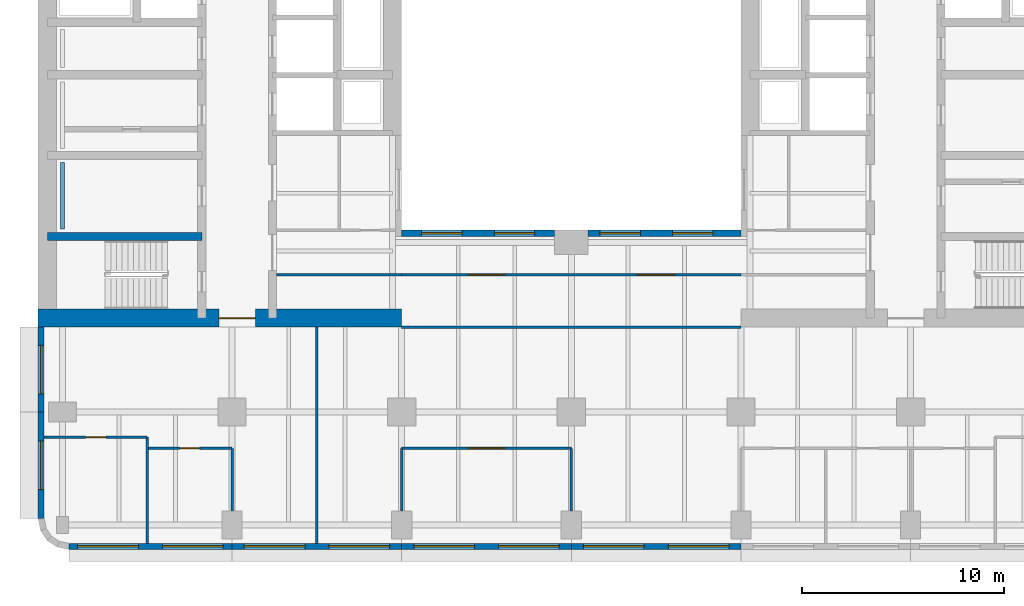
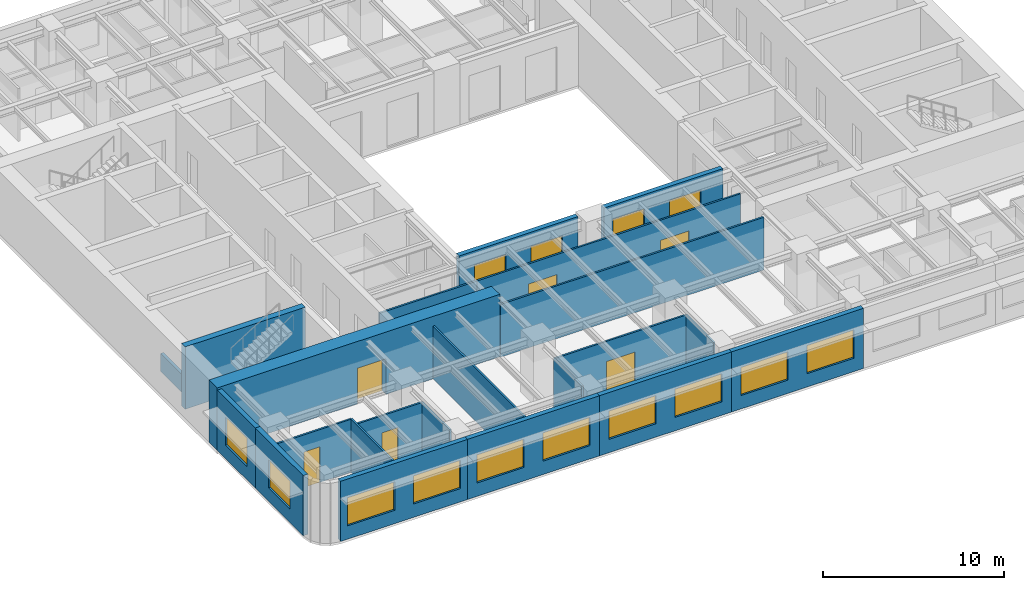
# One storey, part 3 of 11: 22 walls, 14 windows, 6 doors, 20 openings.
"""IFC4 building model written with IfcOpenShell, lengths in metres."""

from ifc_helpers import new_model, si_unit, direction, frame, frame_2d, origin, place, context, subcontext, project, spatial, rectangle, extrude, material, layer, layer_set, type_object, element, fill, save


model = new_model("IFC4")

# Units and contexts
model_context = context("Model", 3, precision=1e-05, world=origin(), true_north=direction((0.0, 1.0)))
body_context = subcontext(model_context, "Body", "Model", "MODEL_VIEW")
ifc_project = project(units=[si_unit("LENGTHUNIT", "METRE"), si_unit("AREAUNIT", "SQUARE_METRE"), si_unit("VOLUMEUNIT", "CUBIC_METRE"), si_unit("PLANEANGLEUNIT", "RADIAN"), si_unit("MASSUNIT", "GRAM", prefix="KILO")], contexts=[model_context])

# Site, building, storey
site_placement = place(None, origin())
site = spatial("IfcSite", under=ifc_project, at=site_placement, CompositionType="ELEMENT")
building_placement = place(site_placement, origin())
building = spatial("IfcBuilding", under=site, at=building_placement, Name="Claustro Exchange Tower", CompositionType="ELEMENT")
storey_placement = place(building_placement, frame((0.0, 0.0, 130.199951171875)))
storey = spatial("IfcBuildingStorey", under=building, at=storey_placement, Name="L29", CompositionType="ELEMENT", Elevation=130.199951171875)

# Wall, opening, door
ifc_material_1 = material(Name="Laminated glass in aluminium frame", Category="aluminium")
ifc_layer_1 = layer(ifc_material_1, 0.1201171875)
ifc_layer_set_1 = layer_set([ifc_layer_1], Name="Laminated glass in aluminium frame")
wall_type_1 = type_object("IfcWallType", Name="P2 120 glazed partition", PredefinedType="PARTITIONING", material=ifc_layer_set_1)
wall_1_placement = place(storey_placement, frame((-0.902099609375, 7.14990234375, 0.0), z_axis=(0.0, 0.0, 1.0), x_axis=(1.0, 0.0, 0.0)))
wall_1 = element("IfcWall", 1, at=wall_1_placement, inside=storey, type_object=wall_type_1, Name="Partition P2 L29", PredefinedType="PARTITIONING", context=body_context, shape_type="SweptSolid", body=[
    extrude(rectangle(XDim=5.10205078125, YDim=0.1201171875, at=frame_2d((2.551025390625, 0.0))), origin(), (0.0, 0.0, 1.0), 3.56005859375),
])
opening_1_placement = place(wall_1_placement, frame((2.052001953125, 0.0, 0.0)))
opening_1 = element("IfcOpeningElement", 2, at=opening_1_placement, cuts=wall_1, Name="Opening D7", PredefinedType="OPENING", context=body_context, shape_type="SweptSolid", body=[
    extrude(rectangle(XDim=1.0, YDim=2.39990234375, at=frame_2d((0.5, 1.199951171875))), frame((0.0, 0.070068359375, 0.0), z_axis=(0.0, -1.0, 0.0), x_axis=(1.0, 0.0, 0.0)), (0.0, 0.0, 1.0), 0.14013671875),
])
ifc_material_2 = material(Name="Glass door in aluminium frame", Category="aluminium")
door_type_1 = type_object("IfcDoorType", Name="D7 1000 x 2400 glazed door", OperationType="SINGLE_SWING_LEFT", PredefinedType="DOOR", material=ifc_material_2)
door_1_placement = place(opening_1_placement, frame((1.0, 0.0, 0.0), z_axis=(0.0, 0.0, 1.0), x_axis=(-1.0, 0.0, 0.0)))
door_1 = element("IfcDoor", 3, at=door_1_placement, inside=storey, type_object=door_type_1, Name="Door D7 L29", OperationType="SINGLE_SWING_LEFT", OverallHeight=2.39990234375, OverallWidth=1.0, PredefinedType="DOOR", context=body_context, shape_type="SweptSolid", body=[
    extrude(rectangle(XDim=1.0, YDim=2.39990234375, at=frame_2d((0.5, 1.199951171875))), frame((0.0, 0.02490234375, 0.0), z_axis=(0.0, -1.0, 0.0), x_axis=(1.0, 0.0, 0.0)), (0.0, 0.0, 1.0), 0.050048828125),
])
fill(opening_1, door_1)

wall_2_placement = place(storey_placement, frame((4.258056640625, 6.60009765625, 0.0), z_axis=(0.0, 0.0, 1.0), x_axis=(1.0, 0.0, 0.0)))
wall_2 = element("IfcWall", 4, at=wall_2_placement, inside=storey, type_object=wall_type_1, Name="Partition P2 L29", PredefinedType="PARTITIONING", context=body_context, shape_type="SweptSolid", body=[
    extrude(rectangle(XDim=4.141845703125, YDim=0.1201171875, at=frame_2d((2.07080078125, 0.0))), origin(), (0.0, 0.0, 1.0), 3.550048828125),
])
opening_2_placement = place(wall_2_placement, frame((1.5419921875, 0.0, 0.0)))
opening_2 = element("IfcOpeningElement", 5, at=opening_2_placement, cuts=wall_2, Name="Opening D7", PredefinedType="OPENING", context=body_context, shape_type="SweptSolid", body=[
    extrude(rectangle(XDim=1.0, YDim=2.39990234375, at=frame_2d((0.5, 1.199951171875))), frame((0.0, 0.070068359375, 0.0), z_axis=(0.0, -1.0, 0.0), x_axis=(1.0, 0.0, 0.0)), (0.0, 0.0, 1.0), 0.14013671875),
])
door_2_placement = place(opening_2_placement, frame((1.0, 0.0, 0.0), z_axis=(0.0, 0.0, 1.0), x_axis=(-1.0, 0.0, 0.0)))
door_2 = element("IfcDoor", 6, at=door_2_placement, inside=storey, type_object=door_type_1, Name="Door D7 L29", OperationType="SINGLE_SWING_RIGHT", OverallHeight=2.39990234375, OverallWidth=1.0, PredefinedType="DOOR", context=body_context, shape_type="SweptSolid", body=[
    extrude(rectangle(XDim=1.0, YDim=2.39990234375, at=frame_2d((0.5, 1.199951171875))), frame((0.0, 0.02490234375, 0.0), z_axis=(0.0, -1.0, 0.0), x_axis=(1.0, 0.0, 0.0)), (0.0, 0.0, 1.0), 0.050048828125),
])
fill(opening_2, door_2)

# Walls
wall_3_placement = place(storey_placement, frame((4.199951171875, 1.89794921875, 0.0), z_axis=(0.0, 0.0, 1.0), x_axis=(0.0, 1.0, 0.0)))
element("IfcWall", 7, at=wall_3_placement, inside=storey, type_object=wall_type_1, Name="Partition P2 L29", PredefinedType="PARTITIONING", context=body_context, shape_type="SweptSolid", body=[
    extrude(rectangle(XDim=5.251953125, YDim=0.1201171875, at=frame_2d((2.6259765625, 0.0))), origin(), (0.0, 0.0, 1.0), 3.56005859375),
])
wall_4_placement = place(storey_placement, frame((8.39990234375, 3.4990234375, 0.0), z_axis=(0.0, 0.0, 1.0), x_axis=(0.0, 1.0, 0.0)))
element("IfcWall", 8, at=wall_4_placement, inside=storey, type_object=wall_type_1, Name="Partition P2 L29", PredefinedType="PARTITIONING", context=body_context, shape_type="SweptSolid", body=[
    extrude(rectangle(XDim=3.10107421875, YDim=0.1201171875, at=frame_2d((1.550537109375, 0.0))), origin(), (0.0, 0.0, 1.0), 3.550048828125),
])

# Wall, opening, door
wall_5_placement = place(storey_placement, frame((16.800048828125, 6.60009765625, 0.0), z_axis=(0.0, 0.0, 1.0), x_axis=(1.0, 0.0, 0.0)))
wall_5 = element("IfcWall", 9, at=wall_5_placement, inside=storey, type_object=wall_type_1, Name="Partition P2 L29", PredefinedType="PARTITIONING", context=body_context, shape_type="SweptSolid", body=[
    extrude(rectangle(XDim=8.39990234375, YDim=0.1201171875, at=frame_2d((4.199951171875, 0.0))), origin(), (0.0, 0.0, 1.0), 3.550048828125),
])
opening_3_placement = place(wall_5_placement, frame((3.300048828125, 0.0, 0.0)))
opening_3 = element("IfcOpeningElement", 10, at=opening_3_placement, cuts=wall_5, Name="Opening D2", PredefinedType="OPENING", context=body_context, shape_type="SweptSolid", body=[
    extrude(rectangle(XDim=1.800048828125, YDim=2.199951171875, at=frame_2d((0.89990234375, 1.10009765625))), frame((0.0, 0.070068359375, 0.0), z_axis=(0.0, -1.0, 0.0), x_axis=(1.0, 0.0, 0.0)), (0.0, 0.0, 1.0), 0.14013671875),
])
ifc_material_3 = material(Name="Timber door, oak veneer", Category="wood")
door_type_2 = type_object("IfcDoorType", Name="D2 1800 x 2200 double door", OperationType="DOUBLE_DOOR_SINGLE_SWING", PredefinedType="DOOR", material=ifc_material_3)
door_3_placement = place(opening_3_placement, frame((1.800048828125, 0.0, 0.0), z_axis=(0.0, 0.0, 1.0), x_axis=(-1.0, 0.0, 0.0)))
door_3 = element("IfcDoor", 11, at=door_3_placement, inside=storey, type_object=door_type_2, Name="Double door D2 L29", OperationType="DOUBLE_DOOR_SINGLE_SWING", OverallHeight=2.199951171875, OverallWidth=1.800048828125, PredefinedType="DOOR", context=body_context, shape_type="SweptSolid", body=[
    extrude(rectangle(XDim=1.800048828125, YDim=2.199951171875, at=frame_2d((0.89990234375, 1.10009765625))), frame((0.0, 0.02490234375, 0.0), z_axis=(0.0, -1.0, 0.0), x_axis=(1.0, 0.0, 0.0)), (0.0, 0.0, 1.0), 0.050048828125),
])
fill(opening_3, door_3)

# Walls
for number, where, z_axis, x_axis, name in (
    (12, (16.800048828125, 3.4990234375, 0.0), (0.0, 0.0, 1.0), (0.0, 1.0, 0.0), "Partition P2 L29"),
    (13, (25.199951171875, 3.4990234375, 0.0), (0.0, 0.0, 1.0), (0.0, 1.0, 0.0), "Partition P2 L29"),
):
    element("IfcWall", number, at=place(storey_placement, frame(where, z_axis=z_axis, x_axis=x_axis)), inside=storey, type_object=wall_type_1, Name=name, PredefinedType="PARTITIONING", context=body_context, shape_type="SweptSolid", body=[
        extrude(rectangle(XDim=3.10107421875, YDim=0.1201171875, at=frame_2d((1.550537109375, 0.0))), origin(), (0.0, 0.0, 1.0), 3.550048828125),
    ])
wall_6_placement = place(storey_placement, frame((12.60009765625, 1.89794921875, 0.0), z_axis=(0.0, 0.0, 1.0), x_axis=(0.0, 1.0, 0.0)))
element("IfcWall", 14, at=wall_6_placement, inside=storey, type_object=wall_type_1, Name="Partition P2 L29", PredefinedType="PARTITIONING", context=body_context, shape_type="SweptSolid", body=[
    extrude(rectangle(XDim=10.7041015625, YDim=0.1201171875, at=frame_2d((5.35205078125, 0.0))), origin(), (0.0, 0.0, 1.0), 3.550048828125),
])
wall_7_placement = place(storey_placement, frame((10.597900390625, 15.199951171875, 0.0), z_axis=(0.0, 0.0, 1.0), x_axis=(1.0, 0.0, 0.0)))
element("IfcWall", 15, at=wall_7_placement, inside=storey, type_object=wall_type_1, Name="Partition P2 L29", PredefinedType="PARTITIONING", context=body_context, shape_type="SweptSolid", body=[
    extrude(rectangle(XDim=6.2041015625, YDim=0.1201171875, at=frame_2d((3.10205078125, 0.0))), origin(), (0.0, 0.0, 1.0), 3.550048828125),
])

# Wall, openings, doors
wall_8_placement = place(storey_placement, frame((16.798095703125, 15.199951171875, 0.0), z_axis=(0.0, 0.0, 1.0), x_axis=(1.0, 0.0, 0.0)))
wall_8 = element("IfcWall", 16, at=wall_8_placement, inside=storey, type_object=wall_type_1, Name="Partition P2 L29", PredefinedType="PARTITIONING", context=body_context, shape_type="SweptSolid", body=[
    extrude(rectangle(XDim=16.803955078125, YDim=0.1201171875, at=frame_2d((8.40185546875, 0.0))), origin(), (0.0, 0.0, 1.0), 3.550048828125),
])
opening_4_placement = place(wall_8_placement, frame((3.302001953125, 0.0, 0.0)))
opening_4 = element("IfcOpeningElement", 17, at=opening_4_placement, cuts=wall_8, Name="Opening D2", PredefinedType="OPENING", context=body_context, shape_type="SweptSolid", body=[
    extrude(rectangle(XDim=1.800048828125, YDim=2.199951171875, at=frame_2d((0.89990234375, 1.10009765625))), frame((0.0, 0.070068359375, 0.0), z_axis=(0.0, -1.0, 0.0), x_axis=(1.0, 0.0, 0.0)), (0.0, 0.0, 1.0), 0.14013671875),
])
opening_5_placement = place(wall_8_placement, frame((11.701904296875, 0.0, 0.0)))
opening_5 = element("IfcOpeningElement", 18, at=opening_5_placement, cuts=wall_8, Name="Opening D2", PredefinedType="OPENING", context=body_context, shape_type="SweptSolid", body=[
    extrude(rectangle(XDim=1.800048828125, YDim=2.199951171875, at=frame_2d((0.89990234375, 1.10009765625))), frame((0.0, 0.070068359375, 0.0), z_axis=(0.0, -1.0, 0.0), x_axis=(1.0, 0.0, 0.0)), (0.0, 0.0, 1.0), 0.14013671875),
])
door_4_placement = place(opening_4_placement, frame((1.800048828125, 0.0, 0.0), z_axis=(0.0, 0.0, 1.0), x_axis=(-1.0, 0.0, 0.0)))
door_4 = element("IfcDoor", 19, at=door_4_placement, inside=storey, type_object=door_type_2, Name="Double door D2 L29", OperationType="DOUBLE_DOOR_SINGLE_SWING", OverallHeight=2.199951171875, OverallWidth=1.800048828125, PredefinedType="DOOR", context=body_context, shape_type="SweptSolid", body=[
    extrude(rectangle(XDim=1.800048828125, YDim=2.199951171875, at=frame_2d((0.89990234375, 1.10009765625))), frame((0.0, 0.02490234375, 0.0), z_axis=(0.0, -1.0, 0.0), x_axis=(1.0, 0.0, 0.0)), (0.0, 0.0, 1.0), 0.050048828125),
])
fill(opening_4, door_4)
door_5_placement = place(opening_5_placement, frame((1.800048828125, 0.0, 0.0), z_axis=(0.0, 0.0, 1.0), x_axis=(-1.0, 0.0, 0.0)))
door_5 = element("IfcDoor", 20, at=door_5_placement, inside=storey, type_object=door_type_2, Name="Double door D2 L29", OperationType="DOUBLE_DOOR_SINGLE_SWING", OverallHeight=2.199951171875, OverallWidth=1.800048828125, PredefinedType="DOOR", context=body_context, shape_type="SweptSolid", body=[
    extrude(rectangle(XDim=1.800048828125, YDim=2.199951171875, at=frame_2d((0.89990234375, 1.10009765625))), frame((0.0, 0.02490234375, 0.0), z_axis=(0.0, -1.0, 0.0), x_axis=(1.0, 0.0, 0.0)), (0.0, 0.0, 1.0), 0.050048828125),
])
fill(opening_5, door_5)

# Wall
wall_9_placement = place(storey_placement, frame((16.800048828125, 12.60009765625, 0.0), z_axis=(0.0, 0.0, 1.0), x_axis=(1.0, 0.0, 0.0)))
element("IfcWall", 21, at=wall_9_placement, inside=storey, type_object=wall_type_1, Name="Partition P2 L29", PredefinedType="PARTITIONING", context=body_context, shape_type="SweptSolid", body=[
    extrude(rectangle(XDim=16.800048828125, YDim=0.1201171875, at=frame_2d((8.39990234375, 0.0))), origin(), (0.0, 0.0, 1.0), 3.550048828125),
])

# Wall, openings, windows
ifc_material_4 = material(Name="Concrete HA-40 (C40/50), precast, white cement, acid-etched", Category="concrete")
ifc_layer_2 = layer(ifc_material_4, 0.300048828125)
ifc_layer_set_2 = layer_set([ifc_layer_2], Name="Concrete HA-40 (C40/50), precast, white cement, acid-etched")
wall_type_2 = type_object("IfcWallType", Name="PC1 300 precast concrete pier panel", PredefinedType="SOLIDWALL", material=ifc_layer_set_2)
wall_10_placement = place(storey_placement, frame((33.60009765625, 1.75, 0.0), z_axis=(0.0, 0.0, 1.0), x_axis=(-1.0, 0.0, 0.0)))
wall_10 = element("IfcWall", 22, at=wall_10_placement, inside=storey, type_object=wall_type_2, Name="Precast pier panel PC1 L29", PredefinedType="SOLIDWALL", context=body_context, shape_type="SweptSolid", body=[
    extrude(rectangle(XDim=8.400146484375, YDim=0.300048828125, at=frame_2d((4.2001953125, 0.0))), origin(), (0.0, 0.0, 1.0), 4.050048828125),
])
opening_6_placement = place(wall_10_placement, frame((0.60009765625, 0.0, 0.89990234375)))
opening_6 = element("IfcOpeningElement", 23, at=opening_6_placement, cuts=wall_10, Name="Opening W1", PredefinedType="OPENING", context=body_context, shape_type="SweptSolid", body=[
    extrude(rectangle(XDim=3.0, YDim=1.89990234375, at=frame_2d((1.5, 0.949951171875))), frame((0.0, 0.159912109375, 0.0), z_axis=(0.0, -1.0, 0.0), x_axis=(1.0, 0.0, 0.0)), (0.0, 0.0, 1.0), 0.320068359375),
])
opening_7_placement = place(wall_10_placement, frame((4.800048828125, 0.0, 0.89990234375)))
opening_7 = element("IfcOpeningElement", 24, at=opening_7_placement, cuts=wall_10, Name="Opening W1", PredefinedType="OPENING", context=body_context, shape_type="SweptSolid", body=[
    extrude(rectangle(XDim=3.0, YDim=1.89990234375, at=frame_2d((1.5, 0.949951171875))), frame((0.0, 0.159912109375, 0.0), z_axis=(0.0, -1.0, 0.0), x_axis=(1.0, 0.0, 0.0)), (0.0, 0.0, 1.0), 0.320068359375),
])
ifc_material_5 = material(Name="Aluminium frame, clear double glazing", Category="aluminium")
window_type_1 = type_object("IfcWindowType", Name="W1 3000 x 1900 window", PartitioningType="SINGLE_PANEL", PredefinedType="WINDOW", material=ifc_material_5)
window_1_placement = place(opening_6_placement, origin())
window_1 = element("IfcWindow", 25, at=window_1_placement, inside=storey, type_object=window_type_1, Name="Window W1 L29", OverallHeight=1.89990234375, OverallWidth=3.0, PartitioningType="SINGLE_PANEL", PredefinedType="WINDOW", context=body_context, shape_type="SweptSolid", body=[
    extrude(rectangle(XDim=3.0, YDim=1.89990234375, at=frame_2d((1.5, 0.949951171875))), frame((0.0, 0.030029296875, 0.0), z_axis=(0.0, -1.0, 0.0), x_axis=(1.0, 0.0, 0.0)), (0.0, 0.0, 1.0), 0.06005859375),
])
fill(opening_6, window_1)
window_2_placement = place(opening_7_placement, origin())
window_2 = element("IfcWindow", 26, at=window_2_placement, inside=storey, type_object=window_type_1, Name="Window W1 L29", OverallHeight=1.89990234375, OverallWidth=3.0, PartitioningType="SINGLE_PANEL", PredefinedType="WINDOW", context=body_context, shape_type="SweptSolid", body=[
    extrude(rectangle(XDim=3.0, YDim=1.89990234375, at=frame_2d((1.5, 0.949951171875))), frame((0.0, 0.030029296875, 0.0), z_axis=(0.0, -1.0, 0.0), x_axis=(1.0, 0.0, 0.0)), (0.0, 0.0, 1.0), 0.06005859375),
])
fill(opening_7, window_2)

wall_11_placement = place(storey_placement, frame((25.199951171875, 1.75, 0.0), z_axis=(0.0, 0.0, 1.0), x_axis=(-1.0, 0.0, 0.0)))
wall_11 = element("IfcWall", 27, at=wall_11_placement, inside=storey, type_object=wall_type_2, Name="Precast pier panel PC1 L29", PredefinedType="SOLIDWALL", context=body_context, shape_type="SweptSolid", body=[
    extrude(rectangle(XDim=8.39990234375, YDim=0.300048828125, at=frame_2d((4.199951171875, 0.0))), origin(), (0.0, 0.0, 1.0), 4.050048828125),
])
opening_8_placement = place(wall_11_placement, frame((0.60009765625, 0.0, 0.89990234375)))
opening_8 = element("IfcOpeningElement", 28, at=opening_8_placement, cuts=wall_11, Name="Opening W1", PredefinedType="OPENING", context=body_context, shape_type="SweptSolid", body=[
    extrude(rectangle(XDim=3.0, YDim=1.89990234375, at=frame_2d((1.5, 0.949951171875))), frame((0.0, 0.159912109375, 0.0), z_axis=(0.0, -1.0, 0.0), x_axis=(1.0, 0.0, 0.0)), (0.0, 0.0, 1.0), 0.320068359375),
])
opening_9_placement = place(wall_11_placement, frame((4.800048828125, 0.0, 0.89990234375)))
opening_9 = element("IfcOpeningElement", 29, at=opening_9_placement, cuts=wall_11, Name="Opening W1", PredefinedType="OPENING", context=body_context, shape_type="SweptSolid", body=[
    extrude(rectangle(XDim=3.0, YDim=1.89990234375, at=frame_2d((1.5, 0.949951171875))), frame((0.0, 0.159912109375, 0.0), z_axis=(0.0, -1.0, 0.0), x_axis=(1.0, 0.0, 0.0)), (0.0, 0.0, 1.0), 0.320068359375),
])
window_3_placement = place(opening_8_placement, origin())
window_3 = element("IfcWindow", 30, at=window_3_placement, inside=storey, type_object=window_type_1, Name="Window W1 L29", OverallHeight=1.89990234375, OverallWidth=3.0, PartitioningType="SINGLE_PANEL", PredefinedType="WINDOW", context=body_context, shape_type="SweptSolid", body=[
    extrude(rectangle(XDim=3.0, YDim=1.89990234375, at=frame_2d((1.5, 0.949951171875))), frame((0.0, 0.030029296875, 0.0), z_axis=(0.0, -1.0, 0.0), x_axis=(1.0, 0.0, 0.0)), (0.0, 0.0, 1.0), 0.06005859375),
])
fill(opening_8, window_3)
window_4_placement = place(opening_9_placement, origin())
window_4 = element("IfcWindow", 31, at=window_4_placement, inside=storey, type_object=window_type_1, Name="Window W1 L29", OverallHeight=1.89990234375, OverallWidth=3.0, PartitioningType="SINGLE_PANEL", PredefinedType="WINDOW", context=body_context, shape_type="SweptSolid", body=[
    extrude(rectangle(XDim=3.0, YDim=1.89990234375, at=frame_2d((1.5, 0.949951171875))), frame((0.0, 0.030029296875, 0.0), z_axis=(0.0, -1.0, 0.0), x_axis=(1.0, 0.0, 0.0)), (0.0, 0.0, 1.0), 0.06005859375),
])
fill(opening_9, window_4)

wall_12_placement = place(storey_placement, frame((16.800048828125, 1.75, 0.0), z_axis=(0.0, 0.0, 1.0), x_axis=(-1.0, 0.0, 0.0)))
wall_12 = element("IfcWall", 32, at=wall_12_placement, inside=storey, type_object=wall_type_2, Name="Precast pier panel PC1 L29", PredefinedType="SOLIDWALL", context=body_context, shape_type="SweptSolid", body=[
    extrude(rectangle(XDim=8.400146484375, YDim=0.300048828125, at=frame_2d((4.2001953125, 0.0))), origin(), (0.0, 0.0, 1.0), 4.050048828125),
])
opening_10_placement = place(wall_12_placement, frame((0.60009765625, 0.0, 0.89990234375)))
opening_10 = element("IfcOpeningElement", 33, at=opening_10_placement, cuts=wall_12, Name="Opening W1", PredefinedType="OPENING", context=body_context, shape_type="SweptSolid", body=[
    extrude(rectangle(XDim=3.0, YDim=1.89990234375, at=frame_2d((1.5, 0.949951171875))), frame((0.0, 0.159912109375, 0.0), z_axis=(0.0, -1.0, 0.0), x_axis=(1.0, 0.0, 0.0)), (0.0, 0.0, 1.0), 0.320068359375),
])
opening_11_placement = place(wall_12_placement, frame((4.800048828125, 0.0, 0.89990234375)))
opening_11 = element("IfcOpeningElement", 34, at=opening_11_placement, cuts=wall_12, Name="Opening W1", PredefinedType="OPENING", context=body_context, shape_type="SweptSolid", body=[
    extrude(rectangle(XDim=3.0, YDim=1.89990234375, at=frame_2d((1.5, 0.949951171875))), frame((0.0, 0.159912109375, 0.0), z_axis=(0.0, -1.0, 0.0), x_axis=(1.0, 0.0, 0.0)), (0.0, 0.0, 1.0), 0.320068359375),
])
window_5_placement = place(opening_10_placement, origin())
window_5 = element("IfcWindow", 35, at=window_5_placement, inside=storey, type_object=window_type_1, Name="Window W1 L29", OverallHeight=1.89990234375, OverallWidth=3.0, PartitioningType="SINGLE_PANEL", PredefinedType="WINDOW", context=body_context, shape_type="SweptSolid", body=[
    extrude(rectangle(XDim=3.0, YDim=1.89990234375, at=frame_2d((1.5, 0.949951171875))), frame((0.0, 0.030029296875, 0.0), z_axis=(0.0, -1.0, 0.0), x_axis=(1.0, 0.0, 0.0)), (0.0, 0.0, 1.0), 0.06005859375),
])
fill(opening_10, window_5)
window_6_placement = place(opening_11_placement, origin())
window_6 = element("IfcWindow", 36, at=window_6_placement, inside=storey, type_object=window_type_1, Name="Window W1 L29", OverallHeight=1.89990234375, OverallWidth=3.0, PartitioningType="SINGLE_PANEL", PredefinedType="WINDOW", context=body_context, shape_type="SweptSolid", body=[
    extrude(rectangle(XDim=3.0, YDim=1.89990234375, at=frame_2d((1.5, 0.949951171875))), frame((0.0, 0.030029296875, 0.0), z_axis=(0.0, -1.0, 0.0), x_axis=(1.0, 0.0, 0.0)), (0.0, 0.0, 1.0), 0.06005859375),
])
fill(opening_11, window_6)

wall_13_placement = place(storey_placement, frame((8.39990234375, 1.75, 0.0), z_axis=(0.0, 0.0, 1.0), x_axis=(-1.0, 0.0, 0.0)))
wall_13 = element("IfcWall", 37, at=wall_13_placement, inside=storey, type_object=wall_type_2, Name="Precast pier panel PC1 L29", PredefinedType="SOLIDWALL", context=body_context, shape_type="SweptSolid", body=[
    extrude(rectangle(XDim=8.085205078125, YDim=0.300048828125, at=frame_2d((4.04248046875, 0.0))), origin(), (0.0, 0.0, 1.0), 4.050048828125),
])
opening_12_placement = place(wall_13_placement, frame((0.442626953125, 0.0, 0.89990234375)))
opening_12 = element("IfcOpeningElement", 38, at=opening_12_placement, cuts=wall_13, Name="Opening W1", PredefinedType="OPENING", context=body_context, shape_type="SweptSolid", body=[
    extrude(rectangle(XDim=3.0, YDim=1.89990234375, at=frame_2d((1.5, 0.949951171875))), frame((0.0, 0.159912109375, 0.0), z_axis=(0.0, -1.0, 0.0), x_axis=(1.0, 0.0, 0.0)), (0.0, 0.0, 1.0), 0.320068359375),
])
opening_13_placement = place(wall_13_placement, frame((4.642578125, 0.0, 0.89990234375)))
opening_13 = element("IfcOpeningElement", 39, at=opening_13_placement, cuts=wall_13, Name="Opening W1", PredefinedType="OPENING", context=body_context, shape_type="SweptSolid", body=[
    extrude(rectangle(XDim=3.0, YDim=1.89990234375, at=frame_2d((1.5, 0.949951171875))), frame((0.0, 0.159912109375, 0.0), z_axis=(0.0, -1.0, 0.0), x_axis=(1.0, 0.0, 0.0)), (0.0, 0.0, 1.0), 0.320068359375),
])
window_7_placement = place(opening_12_placement, origin())
window_7 = element("IfcWindow", 40, at=window_7_placement, inside=storey, type_object=window_type_1, Name="Window W1 L29", OverallHeight=1.89990234375, OverallWidth=3.0, PartitioningType="SINGLE_PANEL", PredefinedType="WINDOW", context=body_context, shape_type="SweptSolid", body=[
    extrude(rectangle(XDim=3.0, YDim=1.89990234375, at=frame_2d((1.5, 0.949951171875))), frame((0.0, 0.030029296875, 0.0), z_axis=(0.0, -1.0, 0.0), x_axis=(1.0, 0.0, 0.0)), (0.0, 0.0, 1.0), 0.06005859375),
])
fill(opening_12, window_7)
window_8_placement = place(opening_13_placement, origin())
window_8 = element("IfcWindow", 41, at=window_8_placement, inside=storey, type_object=window_type_1, Name="Window W1 L29", OverallHeight=1.89990234375, OverallWidth=3.0, PartitioningType="SINGLE_PANEL", PredefinedType="WINDOW", context=body_context, shape_type="SweptSolid", body=[
    extrude(rectangle(XDim=3.0, YDim=1.89990234375, at=frame_2d((1.5, 0.949951171875))), frame((0.0, 0.030029296875, 0.0), z_axis=(0.0, -1.0, 0.0), x_axis=(1.0, 0.0, 0.0)), (0.0, 0.0, 1.0), 0.06005859375),
])
fill(opening_13, window_8)

# Wall, opening, window
wall_14_placement = place(storey_placement, frame((-1.050048828125, 3.11474609375, 0.0), z_axis=(0.0, 0.0, 1.0), x_axis=(0.0, 1.0, 0.0)))
wall_14 = element("IfcWall", 42, at=wall_14_placement, inside=storey, type_object=wall_type_2, Name="Precast pier panel PC1 L29", PredefinedType="SOLIDWALL", context=body_context, shape_type="SweptSolid", body=[
    extrude(rectangle(XDim=5.28515625, YDim=0.300048828125, at=frame_2d((2.642578125, 0.0))), origin(), (0.0, 0.0, 1.0), 4.050048828125),
])
opening_14_placement = place(wall_14_placement, frame((1.442626953125, 0.0, 0.89990234375)))
opening_14 = element("IfcOpeningElement", 43, at=opening_14_placement, cuts=wall_14, Name="Opening W2", PredefinedType="OPENING", context=body_context, shape_type="SweptSolid", body=[
    extrude(rectangle(XDim=2.39990234375, YDim=1.89990234375, at=frame_2d((1.199951171875, 0.949951171875))), frame((0.0, 0.159912109375, 0.0), z_axis=(0.0, -1.0, 0.0), x_axis=(1.0, 0.0, 0.0)), (0.0, 0.0, 1.0), 0.320068359375),
])
ifc_material_6 = material(Name="Aluminium frame, clear double glazing", Category="aluminium")
window_type_2 = type_object("IfcWindowType", Name="W2 2400 x 1900 window", PartitioningType="SINGLE_PANEL", PredefinedType="WINDOW", material=ifc_material_6)
window_9_placement = place(opening_14_placement, origin())
window_9 = element("IfcWindow", 44, at=window_9_placement, inside=storey, type_object=window_type_2, Name="Window W2 L29", OverallHeight=1.89990234375, OverallWidth=2.39990234375, PartitioningType="SINGLE_PANEL", PredefinedType="WINDOW", context=body_context, shape_type="SweptSolid", body=[
    extrude(rectangle(XDim=2.39990234375, YDim=1.89990234375, at=frame_2d((1.199951171875, 0.949951171875))), frame((0.0, 0.030029296875, 0.0), z_axis=(0.0, -1.0, 0.0), x_axis=(1.0, 0.0, 0.0)), (0.0, 0.0, 1.0), 0.06005859375),
])
fill(opening_14, window_9)

wall_15_placement = place(storey_placement, frame((-1.050048828125, 8.39990234375, 0.0), z_axis=(0.0, 0.0, 1.0), x_axis=(0.0, 1.0, 0.0)))
wall_15 = element("IfcWall", 45, at=wall_15_placement, inside=storey, type_object=wall_type_2, Name="Precast pier panel PC1 L29", PredefinedType="SOLIDWALL", context=body_context, shape_type="SweptSolid", body=[
    extrude(rectangle(XDim=4.2001953125, YDim=0.300048828125, at=frame_2d((2.10009765625, 0.0))), origin(), (0.0, 0.0, 1.0), 4.050048828125),
])
opening_15_placement = place(wall_15_placement, frame((0.89990234375, 0.0, 0.89990234375)))
opening_15 = element("IfcOpeningElement", 46, at=opening_15_placement, cuts=wall_15, Name="Opening W2", PredefinedType="OPENING", context=body_context, shape_type="SweptSolid", body=[
    extrude(rectangle(XDim=2.39990234375, YDim=1.89990234375, at=frame_2d((1.199951171875, 0.949951171875))), frame((0.0, 0.159912109375, 0.0), z_axis=(0.0, -1.0, 0.0), x_axis=(1.0, 0.0, 0.0)), (0.0, 0.0, 1.0), 0.320068359375),
])
window_10_placement = place(opening_15_placement, origin())
window_10 = element("IfcWindow", 47, at=window_10_placement, inside=storey, type_object=window_type_2, Name="Window W2 L29", OverallHeight=1.89990234375, OverallWidth=2.39990234375, PartitioningType="SINGLE_PANEL", PredefinedType="WINDOW", context=body_context, shape_type="SweptSolid", body=[
    extrude(rectangle(XDim=2.39990234375, YDim=1.89990234375, at=frame_2d((1.199951171875, 0.949951171875))), frame((0.0, 0.030029296875, 0.0), z_axis=(0.0, -1.0, 0.0), x_axis=(1.0, 0.0, 0.0)), (0.0, 0.0, 1.0), 0.06005859375),
])
fill(opening_15, window_10)

# Wall, openings, windows
wall_16_placement = place(storey_placement, frame((16.800048828125, 17.25, 0.0), z_axis=(0.0, 0.0, 1.0), x_axis=(1.0, 0.0, 0.0)))
wall_16 = element("IfcWall", 48, at=wall_16_placement, inside=storey, type_object=wall_type_2, Name="Precast pier panel PC1 L29", PredefinedType="SOLIDWALL", context=body_context, shape_type="SweptSolid", body=[
    extrude(rectangle(XDim=7.574951171875, YDim=0.300048828125, at=frame_2d((3.78759765625, 0.0))), origin(), (0.0, 0.0, 1.0), 4.050048828125),
])
opening_16_placement = place(wall_16_placement, frame((0.987548828125, 0.0, 0.10009765625)))
opening_16 = element("IfcOpeningElement", 49, at=opening_16_placement, cuts=wall_16, Name="Opening W-A", PredefinedType="OPENING", context=body_context, shape_type="SweptSolid", body=[
    extrude(rectangle(XDim=2.0, YDim=3.0, at=frame_2d((1.0, 1.5))), frame((0.0, 0.159912109375, 0.0), z_axis=(0.0, -1.0, 0.0), x_axis=(1.0, 0.0, 0.0)), (0.0, 0.0, 1.0), 0.320068359375),
])
opening_17_placement = place(wall_16_placement, frame((4.58740234375, 0.0, 0.10009765625)))
opening_17 = element("IfcOpeningElement", 50, at=opening_17_placement, cuts=wall_16, Name="Opening W-A", PredefinedType="OPENING", context=body_context, shape_type="SweptSolid", body=[
    extrude(rectangle(XDim=2.0, YDim=3.0, at=frame_2d((1.0, 1.5))), frame((0.0, 0.159912109375, 0.0), z_axis=(0.0, -1.0, 0.0), x_axis=(1.0, 0.0, 0.0)), (0.0, 0.0, 1.0), 0.320068359375),
])
ifc_material_7 = material(Name="Aluminium frame, clear double glazing", Category="aluminium")
window_type_3 = type_object("IfcWindowType", Name="W-A 2000 x 3000 arcade window", PartitioningType="SINGLE_PANEL", PredefinedType="WINDOW", material=ifc_material_7)
window_11_placement = place(opening_16_placement, origin())
window_11 = element("IfcWindow", 51, at=window_11_placement, inside=storey, type_object=window_type_3, Name="Window W-A L29", OverallHeight=3.0, OverallWidth=2.0, PartitioningType="SINGLE_PANEL", PredefinedType="WINDOW", context=body_context, shape_type="SweptSolid", body=[
    extrude(rectangle(XDim=2.0, YDim=3.0, at=frame_2d((1.0, 1.5))), frame((0.0, 0.030029296875, 0.0), z_axis=(0.0, -1.0, 0.0), x_axis=(1.0, 0.0, 0.0)), (0.0, 0.0, 1.0), 0.06005859375),
])
fill(opening_16, window_11)
window_12_placement = place(opening_17_placement, origin())
window_12 = element("IfcWindow", 52, at=window_12_placement, inside=storey, type_object=window_type_3, Name="Window W-A L29", OverallHeight=3.0, OverallWidth=2.0, PartitioningType="SINGLE_PANEL", PredefinedType="WINDOW", context=body_context, shape_type="SweptSolid", body=[
    extrude(rectangle(XDim=2.0, YDim=3.0, at=frame_2d((1.0, 1.5))), frame((0.0, 0.030029296875, 0.0), z_axis=(0.0, -1.0, 0.0), x_axis=(1.0, 0.0, 0.0)), (0.0, 0.0, 1.0), 0.06005859375),
])
fill(opening_17, window_12)

wall_17_placement = place(storey_placement, frame((26.02490234375, 17.25, 0.0), z_axis=(0.0, 0.0, 1.0), x_axis=(1.0, 0.0, 0.0)))
wall_17 = element("IfcWall", 53, at=wall_17_placement, inside=storey, type_object=wall_type_2, Name="Precast pier panel PC1 L29", PredefinedType="SOLIDWALL", context=body_context, shape_type="SweptSolid", body=[
    extrude(rectangle(XDim=7.5751953125, YDim=0.300048828125, at=frame_2d((3.78759765625, 0.0))), origin(), (0.0, 0.0, 1.0), 4.050048828125),
])
opening_18_placement = place(wall_17_placement, frame((0.58740234375, 0.0, 0.10009765625)))
opening_18 = element("IfcOpeningElement", 54, at=opening_18_placement, cuts=wall_17, Name="Opening W-A", PredefinedType="OPENING", context=body_context, shape_type="SweptSolid", body=[
    extrude(rectangle(XDim=2.0, YDim=3.0, at=frame_2d((1.0, 1.5))), frame((0.0, 0.159912109375, 0.0), z_axis=(0.0, -1.0, 0.0), x_axis=(1.0, 0.0, 0.0)), (0.0, 0.0, 1.0), 0.320068359375),
])
opening_19_placement = place(wall_17_placement, frame((4.1875, 0.0, 0.10009765625)))
opening_19 = element("IfcOpeningElement", 55, at=opening_19_placement, cuts=wall_17, Name="Opening W-A", PredefinedType="OPENING", context=body_context, shape_type="SweptSolid", body=[
    extrude(rectangle(XDim=2.0, YDim=3.0, at=frame_2d((1.0, 1.5))), frame((0.0, 0.159912109375, 0.0), z_axis=(0.0, -1.0, 0.0), x_axis=(1.0, 0.0, 0.0)), (0.0, 0.0, 1.0), 0.320068359375),
])
window_13_placement = place(opening_18_placement, origin())
window_13 = element("IfcWindow", 56, at=window_13_placement, inside=storey, type_object=window_type_3, Name="Window W-A L29", OverallHeight=3.0, OverallWidth=2.0, PartitioningType="SINGLE_PANEL", PredefinedType="WINDOW", context=body_context, shape_type="SweptSolid", body=[
    extrude(rectangle(XDim=2.0, YDim=3.0, at=frame_2d((1.0, 1.5))), frame((0.0, 0.030029296875, 0.0), z_axis=(0.0, -1.0, 0.0), x_axis=(1.0, 0.0, 0.0)), (0.0, 0.0, 1.0), 0.06005859375),
])
fill(opening_18, window_13)
window_14_placement = place(opening_19_placement, origin())
window_14 = element("IfcWindow", 57, at=window_14_placement, inside=storey, type_object=window_type_3, Name="Window W-A L29", OverallHeight=3.0, OverallWidth=2.0, PartitioningType="SINGLE_PANEL", PredefinedType="WINDOW", context=body_context, shape_type="SweptSolid", body=[
    extrude(rectangle(XDim=2.0, YDim=3.0, at=frame_2d((1.0, 1.5))), frame((0.0, 0.030029296875, 0.0), z_axis=(0.0, -1.0, 0.0), x_axis=(1.0, 0.0, 0.0)), (0.0, 0.0, 1.0), 0.06005859375),
])
fill(opening_19, window_14)

# Wall
ifc_material_8 = material(Name="Gypsum board on steel studs, tiled", Category="steel")
ifc_layer_3 = layer(ifc_material_8, 0.199951171875)
ifc_layer_set_3 = layer_set([ifc_layer_3], Name="Gypsum board on steel studs, tiled")
wall_type_3 = type_object("IfcWallType", Name="PW1 200 WC duct wall", PredefinedType="PLUMBINGWALL", material=ifc_layer_set_3)
wall_18_placement = place(storey_placement, frame((0.0, 17.449951171875, 0.0), z_axis=(0.0, 0.0, 1.0), x_axis=(0.0, 1.0, 0.0)))
element("IfcWall", 58, at=wall_18_placement, inside=storey, type_object=wall_type_3, Name="WC duct wall PW1 L29", PredefinedType="PLUMBINGWALL", context=body_context, shape_type="SweptSolid", body=[
    extrude(rectangle(XDim=3.300048828125, YDim=0.199951171875, at=frame_2d((1.64990234375, 0.0))), origin(), (0.0, 0.0, 1.0), 1.199951171875),
])

# Wall, opening, door
ifc_material_9 = material(Name="Concrete HA-70 (C70/85)", Category="concrete")
ifc_layer_4 = layer(ifc_material_9, 0.89990234375)
ifc_layer_set_4 = layer_set([ifc_layer_4], Name="Concrete HA-70 (C70/85)")
wall_type_4 = type_object("IfcWallType", Name="SW1 900 core shear wall", PredefinedType="SHEAR", material=ifc_layer_set_4)
wall_19_placement = place(storey_placement, frame((-1.199951171875, 13.050048828125, 0.0), z_axis=(0.0, 0.0, 1.0), x_axis=(1.0, 0.0, 0.0)))
wall_19 = element("IfcWall", 59, at=wall_19_placement, inside=storey, type_object=wall_type_4, Name="Core wall SW1 W core S face L29", PredefinedType="SHEAR", context=body_context, shape_type="SweptSolid", body=[
    extrude(rectangle(XDim=18.0, YDim=0.89990234375, at=frame_2d((9.0, 0.0))), origin(), (0.0, 0.0, 1.0), 4.199951171875),
])
opening_20_placement = place(wall_19_placement, frame((8.949951171875, 0.0, 0.0)))
opening_20 = element("IfcOpeningElement", 60, at=opening_20_placement, cuts=wall_19, Name="Opening D3", PredefinedType="OPENING", context=body_context, shape_type="SweptSolid", body=[
    extrude(rectangle(XDim=1.800048828125, YDim=2.39990234375, at=frame_2d((0.89990234375, 1.199951171875))), frame((0.0, 0.4599609375, 0.0), z_axis=(0.0, -1.0, 0.0), x_axis=(1.0, 0.0, 0.0)), (0.0, 0.0, 1.0), 0.919921875),
])
ifc_material_10 = material(Name="Steel fire door, painted", Category="steel")
door_type_3 = type_object("IfcDoorType", Name="D3 1800 x 2400 fire-rated lobby double door", OperationType="DOUBLE_DOOR_SINGLE_SWING", PredefinedType="DOOR", material=ifc_material_10)
door_6_placement = place(opening_20_placement, frame((1.800048828125, 0.0, 0.0), z_axis=(0.0, 0.0, 1.0), x_axis=(-1.0, 0.0, 0.0)))
door_6 = element("IfcDoor", 61, at=door_6_placement, inside=storey, type_object=door_type_3, Name="Lift lobby door D3 L29", OperationType="DOUBLE_DOOR_SINGLE_SWING", OverallHeight=2.39990234375, OverallWidth=1.800048828125, PredefinedType="DOOR", context=body_context, shape_type="SweptSolid", body=[
    extrude(rectangle(XDim=1.800048828125, YDim=2.39990234375, at=frame_2d((0.89990234375, 1.199951171875))), frame((0.0, 0.02490234375, 0.0), z_axis=(0.0, -1.0, 0.0), x_axis=(1.0, 0.0, 0.0)), (0.0, 0.0, 1.0), 0.050048828125),
])
fill(opening_20, door_6)

# Wall
ifc_material_11 = material(Name="Concrete HA-50 (C50/60)", Category="concrete")
ifc_layer_5 = layer(ifc_material_11, 0.39990234375)
ifc_layer_set_5 = layer_set([ifc_layer_5], Name="Concrete HA-50 (C50/60)")
wall_type_5 = type_object("IfcWallType", Name="SW4 400 internal core wall", PredefinedType="SHEAR", material=ifc_layer_set_5)
wall_20_placement = place(storey_placement, frame((-0.75, 17.10009765625, 0.0), z_axis=(0.0, 0.0, 1.0), x_axis=(1.0, 0.0, 0.0)))
element("IfcWall", 62, at=wall_20_placement, inside=storey, type_object=wall_type_5, Name="Internal core wall SW4 W core L29", PredefinedType="SHEAR", context=body_context, shape_type="SweptSolid", body=[
    extrude(rectangle(XDim=7.64990234375, YDim=0.39990234375, at=frame_2d((3.824951171875, 0.0))), origin(), (0.0, 0.0, 1.0), 4.199951171875),
])

save(model, "model.ifc")
